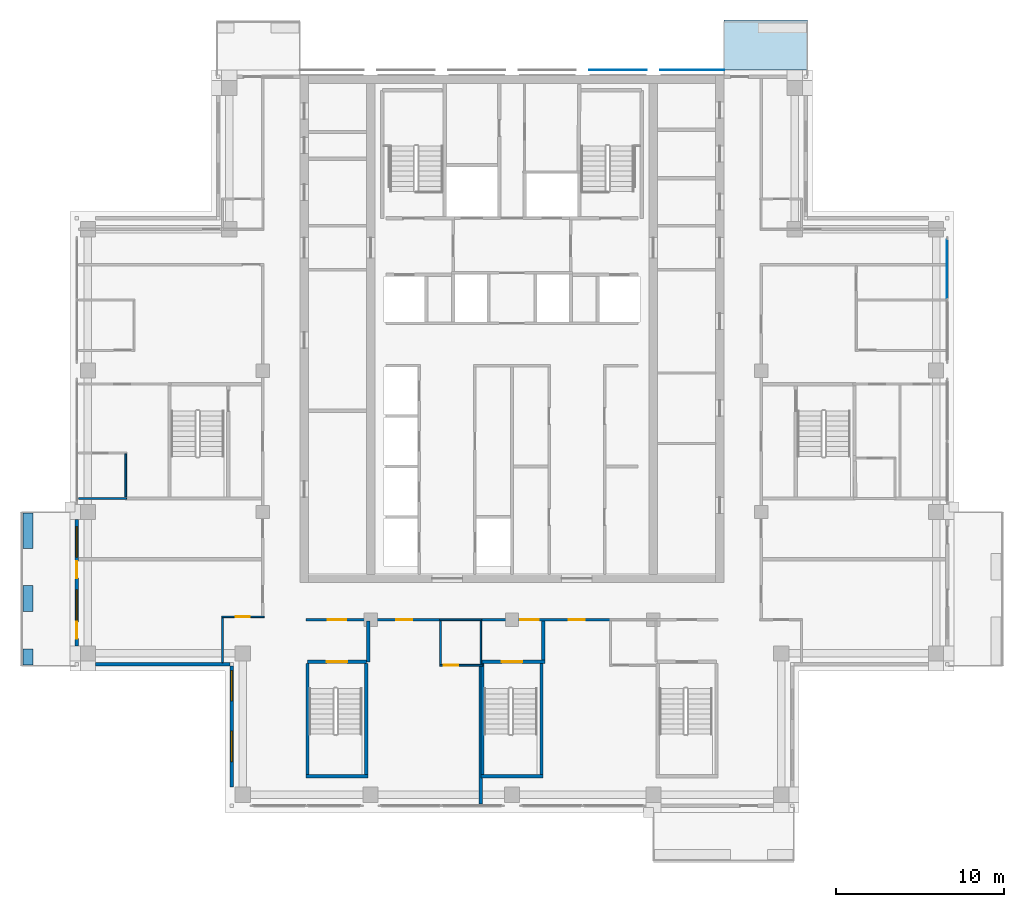
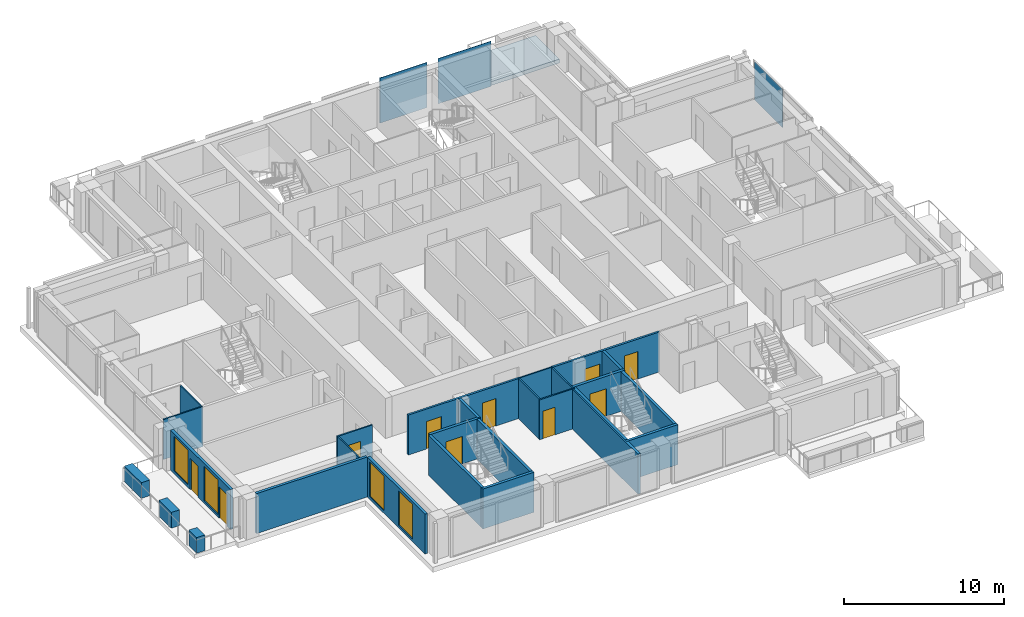
# One storey, part 9 of 19: 27 walls, 10 doors, 4 windows, 3 plates, 1 slab, 14 openings, 1 element without a shape of its own.
"""IFC4 building model written with IfcOpenShell, lengths in metres."""

from ifc_helpers import new_model, si_unit, direction, frame, frame_2d, origin, origin_2d, place, context, subcontext, project, spatial, polyline, rectangle, outline, extrude, material, layer, layer_set, type_object, element, fill, aggregate, save


model = new_model("IFC4")

# Units and contexts
model_context = context("Model", 3, precision=1e-05, world=origin(), true_north=direction((0.0, 1.0)))
body_context = subcontext(model_context, "Body", "Model", "MODEL_VIEW")
ifc_project = project(units=[si_unit("LENGTHUNIT", "METRE"), si_unit("AREAUNIT", "SQUARE_METRE"), si_unit("VOLUMEUNIT", "CUBIC_METRE"), si_unit("PLANEANGLEUNIT", "RADIAN"), si_unit("MASSUNIT", "GRAM", prefix="KILO")], contexts=[model_context])

# Site, building, storey
site_placement = place(None, origin())
site = spatial("IfcSite", under=ifc_project, at=site_placement, CompositionType="ELEMENT")
building_placement = place(site_placement, origin())
building = spatial("IfcBuilding", under=site, at=building_placement, Name="Vermilion Ogive Tower", CompositionType="ELEMENT")
storey_placement = place(building_placement, frame((0.0, 0.0, 226.89990234375)))
storey = spatial("IfcBuildingStorey", under=building, at=storey_placement, Name="L59", CompositionType="ELEMENT", Elevation=226.89990234375)

# Slab
ifc_material_1 = material(Name="Concrete B40", Category="concrete")
ifc_layer_1 = layer(ifc_material_1, 0.300048828125)
ifc_layer_set_1 = layer_set([ifc_layer_1], Name="Balcony slab")
slab_type = type_object("IfcSlabType", Name="Balcony slab", PredefinedType="FLOOR", material=ifc_layer_set_1)
slab_placement = place(storey_placement, frame((0.0, 0.0, -0.33984375)))
element("IfcSlab", 1, at=slab_placement, inside=storey, type_object=slab_type, Name="Balcony slab N101", PredefinedType="FLOOR", context=body_context, shape_type="SweptSolid", body=[
    extrude(outline(polyline([(17.550048828125, 25.030029296875), (12.60009765625, 25.030029296875), (12.60009765625, 22.050048828125), (17.550048828125, 22.050048828125), (17.550048828125, 25.030029296875)])), origin(), (0.0, 0.0, 1.0), 0.300048828125),
])

# Curtain wall, plate
ifc_material_2 = material(Name="Low-iron laminated glazing in aluminium frame", Category="aluminium")
curtain_wall_type = type_object("IfcCurtainWallType", Name="Curtain wall CW7", PredefinedType="NOTDEFINED", material=ifc_material_2)
curtain_wall_placement = place(storey_placement, origin())
curtain_wall = element("IfcCurtainWall", 2, at=curtain_wall_placement, inside=storey, type_object=curtain_wall_type, Name="Glazed skin E3", PredefinedType="NOTDEFINED")
ifc_material_3 = material(Name="Low-iron laminated glazing in aluminium frame", Category="aluminium")
ifc_layer_2 = layer(ifc_material_3, 0.031982421875)
ifc_layer_set_2 = layer_set([ifc_layer_2], Name="CW7 glazing panel 32")
plate_type_1 = type_object("IfcPlateType", Name="CW7 glazing panel 32", PredefinedType="CURTAIN_PANEL", material=ifc_layer_set_2)
plate_1_placement = place(storey_placement, frame((25.85009765625, 10.22998046875, 0.06005859375), z_axis=(0.0, 0.0, 1.0), x_axis=(0.0, 1.0, 0.0)))
plate_1 = element("IfcPlate", 3, at=plate_1_placement, type_object=plate_type_1, Name="CW7-E3 panel 2.1", PredefinedType="CURTAIN_PANEL", context=body_context, shape_type="SweptSolid", body=[
    extrude(rectangle(XDim=3.47998046875, YDim=0.031982421875, at=origin_2d()), origin(), (0.0, 0.0, 1.0), 2.929931640625),
])
aggregate(curtain_wall, [plate_1])

# Plates
ifc_material_4 = material(Name="Low-iron laminated glazing in aluminium frame", Category="aluminium")
ifc_layer_3 = layer(ifc_material_4, 0.031982421875)
ifc_layer_set_3 = layer_set([ifc_layer_3], Name="Glazed rainscreen sheet 32")
plate_type_2 = type_object("IfcPlateType", Name="Glazed rainscreen sheet 32", PredefinedType="SHEET", material=ifc_layer_set_3)
plate_2_placement = place(storey_placement, frame((6.300048828125, 22.06591796875, -0.39990234375), z_axis=(0.0, 0.0, 1.0), x_axis=(1.0, 0.0, 0.0)))
element("IfcPlate", 4, at=plate_2_placement, inside=storey, type_object=plate_type_2, Name="Glazed rainscreen sheet N5", PredefinedType="SHEET", context=body_context, shape_type="SweptSolid", body=[
    extrude(rectangle(XDim=3.39990234375, YDim=0.031982421875, at=origin_2d()), origin(), (0.0, 0.0, 1.0), 3.449951171875),
])
plate_3_placement = place(storey_placement, frame((10.7099609375, 22.06591796875, -0.39990234375), z_axis=(0.0, 0.0, 1.0), x_axis=(1.0, 0.0, 0.0)))
element("IfcPlate", 5, at=plate_3_placement, inside=storey, type_object=plate_type_2, Name="Glazed rainscreen sheet N6", PredefinedType="SHEET", context=body_context, shape_type="SweptSolid", body=[
    extrude(rectangle(XDim=3.820068359375, YDim=0.031982421875, at=origin_2d()), origin(), (0.0, 0.0, 1.0), 3.449951171875),
])

# Wall, opening, door
ifc_material_5 = material(Name="Gypsum board partition on steel studs", Category="steel")
ifc_layer_4 = layer(ifc_material_5, 0.10009765625)
ifc_layer_set_4 = layer_set([ifc_layer_4], Name="Partition 100 bath")
wall_type_1 = type_object("IfcWallType", Name="Partition 100 bath", PredefinedType="PARTITIONING", material=ifc_layer_set_4)
wall_1_placement = place(storey_placement, frame((-4.300048828125, -13.300048828125, 0.0), z_axis=(0.0, 0.0, 1.0), x_axis=(1.0, 0.0, 0.0)))
wall_1 = element("IfcWall", 6, at=wall_1_placement, inside=storey, type_object=wall_type_1, Name="L59-W-W002", PredefinedType="PARTITIONING", context=body_context, shape_type="SweptSolid", body=[
    extrude(rectangle(XDim=2.550048828125, YDim=0.10009765625, at=frame_2d((1.27490234375, 0.0))), origin(), (0.0, 0.0, 1.0), 3.050048828125),
])
opening_1_placement = place(wall_1_placement, frame((0.25, 0.0, 0.0)))
opening_1 = element("IfcOpeningElement", 7, at=opening_1_placement, cuts=wall_1, Name="Opening D5G1010", PredefinedType="OPENING", context=body_context, shape_type="SweptSolid", body=[
    extrude(rectangle(XDim=0.85009765625, YDim=2.10009765625, at=frame_2d((0.425048828125, 1.050048828125))), frame((0.0, 0.06005859375, 0.0), z_axis=(0.0, -1.0, 0.0), x_axis=(1.0, 0.0, 0.0)), (0.0, 0.0, 1.0), 0.1201171875),
])
ifc_material_6 = material(Name="Timber door leaf", Category="wood")
door_type_1 = type_object("IfcDoorType", Name="Bath door 850 x 2100 FD30", OperationType="SINGLE_SWING_LEFT", PredefinedType="DOOR", material=ifc_material_6)
door_1_placement = place(opening_1_placement, origin())
door_1 = element("IfcDoor", 8, at=door_1_placement, inside=storey, type_object=door_type_1, Name="L59-D-D010", OperationType="SINGLE_SWING_LEFT", OverallHeight=2.10009765625, OverallWidth=0.85009765625, PredefinedType="DOOR", context=body_context, shape_type="SweptSolid", body=[
    extrude(rectangle(XDim=0.85009765625, YDim=2.10009765625, at=frame_2d((0.425048828125, 1.050048828125))), frame((0.0, 0.02490234375, 0.0), z_axis=(0.0, -1.0, 0.0), x_axis=(1.0, 0.0, 0.0)), (0.0, 0.0, 1.0), 0.050048828125),
])
fill(opening_1, door_1)

# Wall
wall_2_placement = place(storey_placement, frame((-4.300048828125, -10.60009765625, 0.0), z_axis=(0.0, 0.0, 1.0), x_axis=(1.0, 0.0, 0.0)))
element("IfcWall", 9, at=wall_2_placement, inside=storey, type_object=wall_type_1, Name="L59-W-W008", PredefinedType="PARTITIONING", context=body_context, shape_type="SweptSolid", body=[
    extrude(rectangle(XDim=2.5, YDim=0.10009765625, at=frame_2d((1.25, 0.0))), origin(), (0.0, 0.0, 1.0), 3.050048828125),
])

# Wall, opening, door
wall_3_placement = place(storey_placement, frame((-17.25, -10.429931640625, 0.0), z_axis=(0.0, 0.0, 1.0), x_axis=(1.0, 0.0, 0.0)))
wall_3 = element("IfcWall", 10, at=wall_3_placement, inside=storey, type_object=wall_type_1, Name="L59-W-W013", PredefinedType="PARTITIONING", context=body_context, shape_type="SweptSolid", body=[
    extrude(rectangle(XDim=2.52490234375, YDim=0.10009765625, at=frame_2d((1.262451171875, 0.0))), origin(), (0.0, 0.0, 1.0), 3.050048828125),
])
opening_2_placement = place(wall_3_placement, frame((0.824951171875, 0.0, 0.0)))
opening_2 = element("IfcOpeningElement", 11, at=opening_2_placement, cuts=wall_3, Name="Opening D5G1002", PredefinedType="OPENING", context=body_context, shape_type="SweptSolid", body=[
    extrude(rectangle(XDim=0.85009765625, YDim=2.10009765625, at=frame_2d((0.425048828125, 1.050048828125))), frame((0.0, 0.06005859375, 0.0), z_axis=(0.0, -1.0, 0.0), x_axis=(1.0, 0.0, 0.0)), (0.0, 0.0, 1.0), 0.1201171875),
])
door_2_placement = place(opening_2_placement, origin())
door_2 = element("IfcDoor", 12, at=door_2_placement, inside=storey, type_object=door_type_1, Name="L59-D-D002", OperationType="SINGLE_SWING_RIGHT", OverallHeight=2.10009765625, OverallWidth=0.85009765625, PredefinedType="DOOR", context=body_context, shape_type="SweptSolid", body=[
    extrude(rectangle(XDim=0.85009765625, YDim=2.10009765625, at=frame_2d((0.425048828125, 1.050048828125))), frame((0.0, 0.02490234375, 0.0), z_axis=(0.0, -1.0, 0.0), x_axis=(1.0, 0.0, 0.0)), (0.0, 0.0, 1.0), 0.050048828125),
])
fill(opening_2, door_2)

# Walls
wall_4_placement = place(storey_placement, frame((-25.75, -3.39990234375, 0.0), z_axis=(0.0, 0.0, 1.0), x_axis=(1.0, 0.0, 0.0)))
element("IfcWall", 13, at=wall_4_placement, inside=storey, type_object=wall_type_1, Name="L59-W-W016", PredefinedType="PARTITIONING", context=body_context, shape_type="SweptSolid", body=[
    extrude(rectangle(XDim=2.85009765625, YDim=0.10009765625, at=frame_2d((1.425048828125, 0.0))), origin(), (0.0, 0.0, 1.0), 3.050048828125),
])
wall_5_placement = place(storey_placement, frame((-22.949951171875, -3.300048828125, 0.0), z_axis=(0.0, 0.0, 1.0), x_axis=(0.0, 1.0, 0.0)))
element("IfcWall", 14, at=wall_5_placement, inside=storey, type_object=wall_type_1, Name="L59-W-W039", PredefinedType="PARTITIONING", context=body_context, shape_type="SweptSolid", body=[
    extrude(rectangle(XDim=2.550048828125, YDim=0.10009765625, at=frame_2d((1.27490234375, 0.0))), origin(), (0.0, 0.0, 1.0), 3.050048828125),
])
wall_6_placement = place(storey_placement, frame((-17.199951171875, -13.14990234375, 0.0), z_axis=(0.0, 0.0, 1.0), x_axis=(0.0, 1.0, 0.0)))
element("IfcWall", 15, at=wall_6_placement, inside=storey, type_object=wall_type_1, Name="L59-W-W042", PredefinedType="PARTITIONING", context=body_context, shape_type="SweptSolid", body=[
    extrude(rectangle(XDim=2.669921875, YDim=0.10009765625, at=frame_2d((1.3349609375, 0.0))), origin(), (0.0, 0.0, 1.0), 3.050048828125),
])
for number, where, z_axis, x_axis, name in (
    (16, (-4.25, -13.25, 0.0), (0.0, 0.0, 1.0), (0.0, 1.0, 0.0), "L59-W-W049"),
    (17, (-1.85009765625, -13.25, 0.0), (0.0, 0.0, 1.0), (0.0, 1.0, 0.0), "L59-W-W051"),
):
    element("IfcWall", number, at=place(storey_placement, frame(where, z_axis=z_axis, x_axis=x_axis)), inside=storey, type_object=wall_type_1, Name=name, PredefinedType="PARTITIONING", context=body_context, shape_type="SweptSolid", body=[
        extrude(rectangle(XDim=2.574951171875, YDim=0.10009765625, at=frame_2d((1.28759765625, 0.0))), origin(), (0.0, 0.0, 1.0), 3.050048828125),
    ])

# Wall, openings, doors
ifc_material_7 = material(Name="Gypsum board partition on steel studs", Category="steel")
ifc_layer_5 = layer(ifc_material_7, 0.14990234375)
ifc_layer_set_5 = layer_set([ifc_layer_5], Name="Partition 150 corridor")
wall_type_2 = type_object("IfcWallType", Name="Partition 150 corridor", PredefinedType="PARTITIONING", material=ifc_layer_set_5)
wall_7_placement = place(storey_placement, frame((-12.25, -10.60009765625, 0.0), z_axis=(0.0, 0.0, 1.0), x_axis=(1.0, 0.0, 0.0)))
wall_7 = element("IfcWall", 18, at=wall_7_placement, inside=storey, type_object=wall_type_2, Name="L59-W-W007", PredefinedType="PARTITIONING", context=body_context, shape_type="SweptSolid", body=[
    extrude(rectangle(XDim=8.050048828125, YDim=0.14990234375, at=frame_2d((4.02490234375, 0.0))), origin(), (0.0, 0.0, 1.0), 3.050048828125),
])
opening_3_placement = place(wall_7_placement, frame((5.375, 0.0, 0.0)))
opening_3 = element("IfcOpeningElement", 19, at=opening_3_placement, cuts=wall_7, Name="Opening D5G1009", PredefinedType="OPENING", context=body_context, shape_type="SweptSolid", body=[
    extrude(rectangle(XDim=0.949951171875, YDim=2.10009765625, at=frame_2d((0.47509765625, 1.050048828125))), frame((0.0, 0.0849609375, 0.0), z_axis=(0.0, -1.0, 0.0), x_axis=(1.0, 0.0, 0.0)), (0.0, 0.0, 1.0), 0.169921875),
])
opening_4_placement = place(wall_7_placement, frame((1.300048828125, 0.0, 0.0)))
opening_4 = element("IfcOpeningElement", 20, at=opening_4_placement, cuts=wall_7, Name="Opening D5G1023", PredefinedType="OPENING", context=body_context, shape_type="SweptSolid", body=[
    extrude(rectangle(XDim=1.10009765625, YDim=2.10009765625, at=frame_2d((0.550048828125, 1.050048828125))), frame((0.0, 0.0849609375, 0.0), z_axis=(0.0, -1.0, 0.0), x_axis=(1.0, 0.0, 0.0)), (0.0, 0.0, 1.0), 0.169921875),
])
ifc_material_8 = material(Name="Timber door leaf", Category="wood")
door_type_2 = type_object("IfcDoorType", Name="Stair door 1100 x 2100 FD60S", OperationType="SINGLE_SWING_LEFT", PredefinedType="DOOR", material=ifc_material_8)
door_3_placement = place(opening_4_placement, origin())
door_3 = element("IfcDoor", 21, at=door_3_placement, inside=storey, type_object=door_type_2, Name="L59-D-D023", OperationType="SINGLE_SWING_RIGHT", OverallHeight=2.10009765625, OverallWidth=1.10009765625, PredefinedType="DOOR", context=body_context, shape_type="SweptSolid", body=[
    extrude(rectangle(XDim=1.10009765625, YDim=2.10009765625, at=frame_2d((0.550048828125, 1.050048828125))), frame((0.0, 0.02490234375, 0.0), z_axis=(0.0, -1.0, 0.0), x_axis=(1.0, 0.0, 0.0)), (0.0, 0.0, 1.0), 0.050048828125),
])
fill(opening_4, door_3)
ifc_material_9 = material(Name="Timber door leaf", Category="wood")
door_type_3 = type_object("IfcDoorType", Name="Unit door 950 x 2100 FD30S", OperationType="SINGLE_SWING_LEFT", PredefinedType="DOOR", material=ifc_material_9)
door_4_placement = place(opening_3_placement, origin())
door_4 = element("IfcDoor", 22, at=door_4_placement, inside=storey, type_object=door_type_3, Name="L59-D-D009", OperationType="SINGLE_SWING_LEFT", OverallHeight=2.10009765625, OverallWidth=0.949951171875, PredefinedType="DOOR", context=body_context, shape_type="SweptSolid", body=[
    extrude(rectangle(XDim=0.949951171875, YDim=2.10009765625, at=frame_2d((0.47509765625, 1.050048828125))), frame((0.0, 0.02490234375, 0.0), z_axis=(0.0, -1.0, 0.0), x_axis=(1.0, 0.0, 0.0)), (0.0, 0.0, 1.0), 0.050048828125),
])
fill(opening_3, door_4)

wall_8_placement = place(storey_placement, frame((-1.89990234375, -10.60009765625, 0.0), z_axis=(0.0, 0.0, 1.0), x_axis=(1.0, 0.0, 0.0)))
wall_8 = element("IfcWall", 23, at=wall_8_placement, inside=storey, type_object=wall_type_2, Name="L59-W-W009", PredefinedType="PARTITIONING", context=body_context, shape_type="SweptSolid", body=[
    extrude(rectangle(XDim=7.7998046875, YDim=0.14990234375, at=frame_2d((3.89990234375, 0.0))), origin(), (0.0, 0.0, 1.0), 3.050048828125),
])
opening_5_placement = place(wall_8_placement, frame((5.27490234375, 0.0, 0.0)))
opening_5 = element("IfcOpeningElement", 24, at=opening_5_placement, cuts=wall_8, Name="Opening D5G1011", PredefinedType="OPENING", context=body_context, shape_type="SweptSolid", body=[
    extrude(rectangle(XDim=0.949951171875, YDim=2.10009765625, at=frame_2d((0.47509765625, 1.050048828125))), frame((0.0, 0.0849609375, 0.0), z_axis=(0.0, -1.0, 0.0), x_axis=(1.0, 0.0, 0.0)), (0.0, 0.0, 1.0), 0.169921875),
])
opening_6_placement = place(wall_8_placement, frame((2.39990234375, 0.0, 0.0)))
opening_6 = element("IfcOpeningElement", 25, at=opening_6_placement, cuts=wall_8, Name="Opening D5G1025", PredefinedType="OPENING", context=body_context, shape_type="SweptSolid", body=[
    extrude(rectangle(XDim=1.10009765625, YDim=2.10009765625, at=frame_2d((0.550048828125, 1.050048828125))), frame((0.0, 0.0849609375, 0.0), z_axis=(0.0, -1.0, 0.0), x_axis=(1.0, 0.0, 0.0)), (0.0, 0.0, 1.0), 0.169921875),
])
door_5_placement = place(opening_6_placement, origin())
door_5 = element("IfcDoor", 26, at=door_5_placement, inside=storey, type_object=door_type_2, Name="L59-D-D025", OperationType="SINGLE_SWING_LEFT", OverallHeight=2.10009765625, OverallWidth=1.10009765625, PredefinedType="DOOR", context=body_context, shape_type="SweptSolid", body=[
    extrude(rectangle(XDim=1.10009765625, YDim=2.10009765625, at=frame_2d((0.550048828125, 1.050048828125))), frame((0.0, 0.02490234375, 0.0), z_axis=(0.0, -1.0, 0.0), x_axis=(1.0, 0.0, 0.0)), (0.0, 0.0, 1.0), 0.050048828125),
])
fill(opening_6, door_5)
door_6_placement = place(opening_5_placement, origin())
door_6 = element("IfcDoor", 27, at=door_6_placement, inside=storey, type_object=door_type_3, Name="L59-D-D011", OperationType="SINGLE_SWING_LEFT", OverallHeight=2.10009765625, OverallWidth=0.949951171875, PredefinedType="DOOR", context=body_context, shape_type="SweptSolid", body=[
    extrude(rectangle(XDim=0.949951171875, YDim=2.10009765625, at=frame_2d((0.47509765625, 1.050048828125))), frame((0.0, 0.02490234375, 0.0), z_axis=(0.0, -1.0, 0.0), x_axis=(1.0, 0.0, 0.0)), (0.0, 0.0, 1.0), 0.050048828125),
])
fill(opening_5, door_6)

# Walls
ifc_material_10 = material(Name="Gypsum board partition on steel studs", Category="steel")
ifc_layer_6 = layer(ifc_material_10, 0.199951171875)
ifc_layer_set_6 = layer_set([ifc_layer_6], Name="Partition 200 party")
wall_type_3 = type_object("IfcWallType", Name="Partition 200 party", PredefinedType="PARTITIONING", material=ifc_layer_set_6)
wall_9_placement = place(storey_placement, frame((-8.550048828125, -13.10009765625, 0.0), z_axis=(0.0, 0.0, 1.0), x_axis=(0.0, 1.0, 0.0)))
element("IfcWall", 28, at=wall_9_placement, inside=storey, type_object=wall_type_3, Name="L59-W-W048", PredefinedType="PARTITIONING", context=body_context, shape_type="SweptSolid", body=[
    extrude(rectangle(XDim=2.425048828125, YDim=0.199951171875, at=frame_2d((1.21240234375, 0.0))), origin(), (0.0, 0.0, 1.0), 3.050048828125),
])
ifc_material_11 = material(Name="Concrete B60", Category="concrete")
ifc_layer_7 = layer(ifc_material_11, 0.199951171875)
ifc_layer_set_7 = layer_set([ifc_layer_7], Name="Stair shaft wall 200 Concrete B60")
wall_type_4 = type_object("IfcWallType", Name="Stair shaft wall 200 Concrete B60", PredefinedType="SOLIDWALL", material=ifc_layer_set_7)
wall_10_placement = place(storey_placement, frame((-1.847900390625, -19.89990234375, 0.0), z_axis=(0.0, 0.0, 1.0), x_axis=(1.0, 0.0, 0.0)))
element("IfcWall", 29, at=wall_10_placement, inside=storey, type_object=wall_type_4, Name="L59-W-W001", PredefinedType="SOLIDWALL", context=body_context, shape_type="SweptSolid", body=[
    extrude(rectangle(XDim=3.69580078125, YDim=0.199951171875, at=frame_2d((1.847900390625, 0.0))), origin(), (0.0, 0.0, 1.0), 3.050048828125),
])

# Wall, opening, door
wall_11_placement = place(storey_placement, frame((-12.14990234375, -13.10009765625, 0.0), z_axis=(0.0, 0.0, 1.0), x_axis=(1.0, 0.0, 0.0)))
wall_11 = element("IfcWall", 30, at=wall_11_placement, inside=storey, type_object=wall_type_4, Name="L59-W-W004", PredefinedType="SOLIDWALL", context=body_context, shape_type="SweptSolid", body=[
    extrude(rectangle(XDim=3.5, YDim=0.199951171875, at=frame_2d((1.75, 0.0))), origin(), (0.0, 0.0, 1.0), 3.050048828125),
])
opening_7_placement = place(wall_11_placement, frame((1.14990234375, 0.0, 0.0)))
opening_7 = element("IfcOpeningElement", 31, at=opening_7_placement, cuts=wall_11, Name="Opening D5G1024", PredefinedType="OPENING", context=body_context, shape_type="SweptSolid", body=[
    extrude(rectangle(XDim=1.199951171875, YDim=2.10009765625, at=frame_2d((0.60009765625, 1.050048828125))), frame((0.0, 0.10986328125, 0.0), z_axis=(0.0, -1.0, 0.0), x_axis=(1.0, 0.0, 0.0)), (0.0, 0.0, 1.0), 0.219970703125),
])
ifc_material_12 = material(Name="Timber door leaf", Category="wood")
door_type_4 = type_object("IfcDoorType", Name="Stair door 1200 x 2100 FD60S", OperationType="SINGLE_SWING_LEFT", PredefinedType="DOOR", material=ifc_material_12)
door_7_placement = place(opening_7_placement, origin())
door_7 = element("IfcDoor", 32, at=door_7_placement, inside=storey, type_object=door_type_4, Name="L59-D-D024", OperationType="SINGLE_SWING_RIGHT", OverallHeight=2.10009765625, OverallWidth=1.199951171875, PredefinedType="DOOR", context=body_context, shape_type="SweptSolid", body=[
    extrude(rectangle(XDim=1.199951171875, YDim=2.10009765625, at=frame_2d((0.60009765625, 1.050048828125))), frame((0.0, 0.02490234375, 0.0), z_axis=(0.0, -1.0, 0.0), x_axis=(1.0, 0.0, 0.0)), (0.0, 0.0, 1.0), 0.050048828125),
])
fill(opening_7, door_7)

wall_12_placement = place(storey_placement, frame((-1.798095703125, -13.10009765625, 0.0), z_axis=(0.0, 0.0, 1.0), x_axis=(1.0, 0.0, 0.0)))
wall_12 = element("IfcWall", 33, at=wall_12_placement, inside=storey, type_object=wall_type_4, Name="L59-W-W005", PredefinedType="SOLIDWALL", context=body_context, shape_type="SweptSolid", body=[
    extrude(rectangle(XDim=3.74609375, YDim=0.199951171875, at=frame_2d((1.873046875, 0.0))), origin(), (0.0, 0.0, 1.0), 3.050048828125),
])
opening_8_placement = place(wall_12_placement, frame((1.197998046875, 0.0, 0.0)))
opening_8 = element("IfcOpeningElement", 34, at=opening_8_placement, cuts=wall_12, Name="Opening D5G1026", PredefinedType="OPENING", context=body_context, shape_type="SweptSolid", body=[
    extrude(rectangle(XDim=1.199951171875, YDim=2.10009765625, at=frame_2d((0.60009765625, 1.050048828125))), frame((0.0, 0.10986328125, 0.0), z_axis=(0.0, -1.0, 0.0), x_axis=(1.0, 0.0, 0.0)), (0.0, 0.0, 1.0), 0.219970703125),
])
door_8_placement = place(opening_8_placement, origin())
door_8 = element("IfcDoor", 35, at=door_8_placement, inside=storey, type_object=door_type_4, Name="L59-D-D026", OperationType="SINGLE_SWING_RIGHT", OverallHeight=2.10009765625, OverallWidth=1.199951171875, PredefinedType="DOOR", context=body_context, shape_type="SweptSolid", body=[
    extrude(rectangle(XDim=1.199951171875, YDim=2.10009765625, at=frame_2d((0.60009765625, 1.050048828125))), frame((0.0, 0.02490234375, 0.0), z_axis=(0.0, -1.0, 0.0), x_axis=(1.0, 0.0, 0.0)), (0.0, 0.0, 1.0), 0.050048828125),
])
fill(opening_8, door_8)

# Walls
for number, where, z_axis, x_axis, name in (
    (36, (-1.75, -19.798095703125, 0.0), (0.0, 0.0, 1.0), (0.0, 1.0, 0.0), "L59-W-W052"),
    (37, (1.75, -19.798095703125, 0.0), (0.0, 0.0, 1.0), (0.0, 1.0, 0.0), "L59-W-W053"),
):
    element("IfcWall", number, at=place(storey_placement, frame(where, z_axis=z_axis, x_axis=x_axis)), inside=storey, type_object=wall_type_4, Name=name, PredefinedType="SOLIDWALL", context=body_context, shape_type="SweptSolid", body=[
        extrude(rectangle(XDim=6.59619140625, YDim=0.199951171875, at=frame_2d((3.298095703125, 0.0))), origin(), (0.0, 0.0, 1.0), 3.050048828125),
    ])
wall_13_placement = place(storey_placement, frame((1.85009765625, -12.998046875, 0.0), z_axis=(0.0, 0.0, 1.0), x_axis=(0.0, 1.0, 0.0)))
element("IfcWall", 38, at=wall_13_placement, inside=storey, type_object=wall_type_4, Name="L59-W-W054", PredefinedType="SOLIDWALL", context=body_context, shape_type="SweptSolid", body=[
    extrude(rectangle(XDim=2.322998046875, YDim=0.199951171875, at=frame_2d((1.16162109375, 0.0))), origin(), (0.0, 0.0, 1.0), 3.050048828125),
])
wall_14_placement = place(storey_placement, frame((-12.25, -19.89990234375, 0.0), z_axis=(0.0, 0.0, 1.0), x_axis=(1.0, 0.0, 0.0)))
element("IfcWall", 39, at=wall_14_placement, inside=storey, type_object=wall_type_4, Name="L59-SW-ST3-S1", PredefinedType="SOLIDWALL", context=body_context, shape_type="SweptSolid", body=[
    extrude(rectangle(XDim=3.699951171875, YDim=0.199951171875, at=frame_2d((1.85009765625, 0.0))), origin(), (0.0, 0.0, 1.0), 3.050048828125),
])
for number, where, z_axis, x_axis, name in (
    (40, (-12.14990234375, -19.800048828125, 0.0), (0.0, 0.0, 1.0), (0.0, 1.0, 0.0), "L59-SW-ST3-W1"),
    (41, (-8.64990234375, -19.800048828125, 0.0), (0.0, 0.0, 1.0), (0.0, 1.0, 0.0), "L59-SW-ST3-E1"),
):
    element("IfcWall", number, at=place(storey_placement, frame(where, z_axis=z_axis, x_axis=x_axis)), inside=storey, type_object=wall_type_4, Name=name, PredefinedType="SOLIDWALL", context=body_context, shape_type="SweptSolid", body=[
        extrude(rectangle(XDim=6.60009765625, YDim=0.199951171875, at=frame_2d((3.300048828125, 0.0))), origin(), (0.0, 0.0, 1.0), 3.050048828125),
    ])
wall_15_placement = place(storey_placement, frame((-1.85009765625, -21.550048828125, 0.0), z_axis=(0.0, 0.0, 1.0), x_axis=(0.0, 1.0, 0.0)))
element("IfcWall", 42, at=wall_15_placement, inside=storey, type_object=wall_type_4, Name="L59-W-W050-A", PredefinedType="SOLIDWALL", context=body_context, shape_type="SweptSolid", body=[
    extrude(rectangle(XDim=8.199951171875, YDim=0.199951171875, at=frame_2d((4.10009765625, 0.0))), origin(), (0.0, 0.0, 1.0), 3.050048828125),
])
ifc_material_13 = material(Name="Concrete B40", Category="concrete")
ifc_layer_8 = layer(ifc_material_13, 0.60009765625)
ifc_layer_set_8 = layer_set([ifc_layer_8], Name="Structural planter")
wall_type_5 = type_object("IfcWallType", Name="Structural planter", PredefinedType="USERDEFINED", material=ifc_layer_set_8)
wall_16_placement = place(storey_placement, frame((-28.75, -4.260009765625, -0.039794921875), z_axis=(0.0, 0.0, 1.0), x_axis=(0.0, -1.0, 0.0)))
element("IfcWall", 43, at=wall_16_placement, inside=storey, type_object=wall_type_5, Name="Planter W03A1", ObjectType="PLANTER", PredefinedType="USERDEFINED", context=body_context, shape_type="SweptSolid", body=[
    extrude(rectangle(XDim=2.114990234375, YDim=0.60009765625, at=frame_2d((1.0576171875, 0.0))), origin(), (0.0, 0.0, 1.0), 1.199951171875),
])
wall_17_placement = place(storey_placement, frame((-28.75, -8.574951171875, -0.039794921875), z_axis=(0.0, 0.0, 1.0), x_axis=(0.0, -1.0, 0.0)))
element("IfcWall", 44, at=wall_17_placement, inside=storey, type_object=wall_type_5, Name="Planter W03A2", ObjectType="PLANTER", PredefinedType="USERDEFINED", context=body_context, shape_type="SweptSolid", body=[
    extrude(rectangle(XDim=1.550048828125, YDim=0.60009765625, at=frame_2d((0.77490234375, 0.0))), origin(), (0.0, 0.0, 1.0), 1.199951171875),
])
wall_18_placement = place(storey_placement, frame((-28.75, -12.324951171875, -0.039794921875), z_axis=(0.0, 0.0, 1.0), x_axis=(0.0, -1.0, 0.0)))
element("IfcWall", 45, at=wall_18_placement, inside=storey, type_object=wall_type_5, Name="Planter W03A3", ObjectType="PLANTER", PredefinedType="USERDEFINED", context=body_context, shape_type="SweptSolid", body=[
    extrude(rectangle(XDim=0.965087890625, YDim=0.60009765625, at=frame_2d((0.482421875, 0.0))), origin(), (0.0, 0.0, 1.0), 1.199951171875),
])

# Wall, openings, doors, windows
ifc_material_14 = material(Name="Aluminium window wall framing", Category="aluminium")
ifc_layer_9 = layer(ifc_material_14, 0.199951171875)
ifc_layer_set_9 = layer_set([ifc_layer_9], Name="Window wall")
wall_type_6 = type_object("IfcWallType", Name="Window wall", PredefinedType="STANDARD", material=ifc_layer_set_9)
wall_19_placement = place(storey_placement, frame((-25.85009765625, -4.64990234375, 0.0), z_axis=(0.0, 0.0, 1.0), x_axis=(0.0, -1.0, 0.0)))
wall_19 = element("IfcWall", 46, at=wall_19_placement, inside=storey, type_object=wall_type_6, Name="Window wall W3", PredefinedType="STANDARD", context=body_context, shape_type="SweptSolid", body=[
    extrude(rectangle(XDim=7.5, YDim=0.199951171875, at=frame_2d((3.75, 0.0))), origin(), (0.0, 0.0, 1.0), 3.050048828125),
])
opening_9_placement = place(wall_19_placement, frame((4.175048828125, 0.0, 0.199951171875)))
opening_9 = element("IfcOpeningElement", 47, at=opening_9_placement, cuts=wall_19, Name="Opening W1-W97", PredefinedType="OPENING", context=body_context, shape_type="SweptSolid", body=[
    extrude(rectangle(XDim=1.800048828125, YDim=2.64990234375, at=frame_2d((0.89990234375, 1.324951171875))), frame((0.0, 0.10986328125, 0.0), z_axis=(0.0, -1.0, 0.0), x_axis=(1.0, 0.0, 0.0)), (0.0, 0.0, 1.0), 0.219970703125),
])
opening_10_placement = place(wall_19_placement, frame((6.074951171875, 0.0, 0.0)))
opening_10 = element("IfcOpeningElement", 48, at=opening_10_placement, cuts=wall_19, Name="Opening D1-W97", PredefinedType="OPENING", context=body_context, shape_type="SweptSolid", body=[
    extrude(rectangle(XDim=1.0, YDim=2.39990234375, at=frame_2d((0.5, 1.199951171875))), frame((0.0, 0.10986328125, 0.0), z_axis=(0.0, -1.0, 0.0), x_axis=(1.0, 0.0, 0.0)), (0.0, 0.0, 1.0), 0.219970703125),
])
opening_11_placement = place(wall_19_placement, frame((0.425048828125, 0.0, 0.199951171875)))
opening_11 = element("IfcOpeningElement", 49, at=opening_11_placement, cuts=wall_19, Name="Opening W1-W98", PredefinedType="OPENING", context=body_context, shape_type="SweptSolid", body=[
    extrude(rectangle(XDim=1.800048828125, YDim=2.64990234375, at=frame_2d((0.89990234375, 1.324951171875))), frame((0.0, 0.10986328125, 0.0), z_axis=(0.0, -1.0, 0.0), x_axis=(1.0, 0.0, 0.0)), (0.0, 0.0, 1.0), 0.219970703125),
])
opening_12_placement = place(wall_19_placement, frame((2.47509765625, 0.0, 0.0)))
opening_12 = element("IfcOpeningElement", 50, at=opening_12_placement, cuts=wall_19, Name="Opening D1-W98", PredefinedType="OPENING", context=body_context, shape_type="SweptSolid", body=[
    extrude(rectangle(XDim=1.0, YDim=2.39990234375, at=frame_2d((0.5, 1.199951171875))), frame((0.0, 0.10986328125, 0.0), z_axis=(0.0, -1.0, 0.0), x_axis=(1.0, 0.0, 0.0)), (0.0, 0.0, 1.0), 0.219970703125),
])
ifc_material_15 = material(Name="Aluminium framed glazed door", Category="aluminium")
door_type_5 = type_object("IfcDoorType", Name="Balcony door D1", OperationType="SINGLE_SWING_LEFT", PredefinedType="DOOR", material=ifc_material_15)
door_9_placement = place(opening_10_placement, origin())
door_9 = element("IfcDoor", 51, at=door_9_placement, inside=storey, type_object=door_type_5, Name="Balcony door W97", OperationType="SINGLE_SWING_LEFT", OverallHeight=2.39990234375, OverallWidth=1.0, PredefinedType="DOOR", context=body_context, shape_type="SweptSolid", body=[
    extrude(rectangle(XDim=1.0, YDim=2.39990234375, at=frame_2d((0.5, 1.199951171875))), frame((0.0, 0.02490234375, 0.0), z_axis=(0.0, -1.0, 0.0), x_axis=(1.0, 0.0, 0.0)), (0.0, 0.0, 1.0), 0.050048828125),
])
fill(opening_10, door_9)
door_10_placement = place(opening_12_placement, origin())
door_10 = element("IfcDoor", 52, at=door_10_placement, inside=storey, type_object=door_type_5, Name="Balcony door W98", OperationType="SINGLE_SWING_LEFT", OverallHeight=2.39990234375, OverallWidth=1.0, PredefinedType="DOOR", context=body_context, shape_type="SweptSolid", body=[
    extrude(rectangle(XDim=1.0, YDim=2.39990234375, at=frame_2d((0.5, 1.199951171875))), frame((0.0, 0.02490234375, 0.0), z_axis=(0.0, -1.0, 0.0), x_axis=(1.0, 0.0, 0.0)), (0.0, 0.0, 1.0), 0.050048828125),
])
fill(opening_12, door_10)
ifc_material_16 = material(Name="Aluminium framed double glazing", Category="aluminium")
window_type = type_object("IfcWindowType", Name="Guest window W1", PartitioningType="SINGLE_PANEL", PredefinedType="WINDOW", material=ifc_material_16)
window_1_placement = place(opening_9_placement, origin())
window_1 = element("IfcWindow", 53, at=window_1_placement, inside=storey, type_object=window_type, Name="Window W97", OverallHeight=2.64990234375, OverallWidth=1.800048828125, PartitioningType="SINGLE_PANEL", PredefinedType="WINDOW", context=body_context, shape_type="SweptSolid", body=[
    extrude(rectangle(XDim=1.800048828125, YDim=2.64990234375, at=frame_2d((0.89990234375, 1.324951171875))), frame((0.0, 0.030029296875, 0.0), z_axis=(0.0, -1.0, 0.0), x_axis=(1.0, 0.0, 0.0)), (0.0, 0.0, 1.0), 0.06005859375),
])
fill(opening_9, window_1)
window_2_placement = place(opening_11_placement, origin())
window_2 = element("IfcWindow", 54, at=window_2_placement, inside=storey, type_object=window_type, Name="Window W98", OverallHeight=2.64990234375, OverallWidth=1.800048828125, PartitioningType="SINGLE_PANEL", PredefinedType="WINDOW", context=body_context, shape_type="SweptSolid", body=[
    extrude(rectangle(XDim=1.800048828125, YDim=2.64990234375, at=frame_2d((0.89990234375, 1.324951171875))), frame((0.0, 0.030029296875, 0.0), z_axis=(0.0, -1.0, 0.0), x_axis=(1.0, 0.0, 0.0)), (0.0, 0.0, 1.0), 0.06005859375),
])
fill(opening_11, window_2)

# Wall
wall_20_placement = place(storey_placement, frame((-24.75, -13.25, 0.0), z_axis=(0.0, 0.0, 1.0), x_axis=(1.0, 0.0, 0.0)))
element("IfcWall", 55, at=wall_20_placement, inside=storey, type_object=wall_type_6, Name="Window wall X71", PredefinedType="STANDARD", context=body_context, shape_type="SweptSolid", body=[
    extrude(rectangle(XDim=8.0, YDim=0.199951171875, at=frame_2d((4.0, 0.0))), origin(), (0.0, 0.0, 1.0), 3.050048828125),
])

# Wall, openings, windows
wall_21_placement = place(storey_placement, frame((-16.64990234375, -13.35009765625, 0.0), z_axis=(0.0, 0.0, 1.0), x_axis=(0.0, -1.0, 0.0)))
wall_21 = element("IfcWall", 56, at=wall_21_placement, inside=storey, type_object=wall_type_6, Name="Window wall X81", PredefinedType="STANDARD", context=body_context, shape_type="SweptSolid", body=[
    extrude(rectangle(XDim=7.199951171875, YDim=0.199951171875, at=frame_2d((3.60009765625, 0.0))), origin(), (0.0, 0.0, 1.0), 3.050048828125),
])
opening_13_placement = place(wall_21_placement, frame((3.875, 0.0, 0.199951171875)))
opening_13 = element("IfcOpeningElement", 57, at=opening_13_placement, cuts=wall_21, Name="Opening W1-X895", PredefinedType="OPENING", context=body_context, shape_type="SweptSolid", body=[
    extrude(rectangle(XDim=1.800048828125, YDim=2.64990234375, at=frame_2d((0.89990234375, 1.324951171875))), frame((0.0, 0.10986328125, 0.0), z_axis=(0.0, -1.0, 0.0), x_axis=(1.0, 0.0, 0.0)), (0.0, 0.0, 1.0), 0.219970703125),
])
opening_14_placement = place(wall_21_placement, frame((0.27490234375, 0.0, 0.199951171875)))
opening_14 = element("IfcOpeningElement", 58, at=opening_14_placement, cuts=wall_21, Name="Opening W1-X896", PredefinedType="OPENING", context=body_context, shape_type="SweptSolid", body=[
    extrude(rectangle(XDim=1.800048828125, YDim=2.64990234375, at=frame_2d((0.89990234375, 1.324951171875))), frame((0.0, 0.10986328125, 0.0), z_axis=(0.0, -1.0, 0.0), x_axis=(1.0, 0.0, 0.0)), (0.0, 0.0, 1.0), 0.219970703125),
])
window_3_placement = place(opening_13_placement, origin())
window_3 = element("IfcWindow", 59, at=window_3_placement, inside=storey, type_object=window_type, Name="Window X895", OverallHeight=2.64990234375, OverallWidth=1.800048828125, PartitioningType="SINGLE_PANEL", PredefinedType="WINDOW", context=body_context, shape_type="SweptSolid", body=[
    extrude(rectangle(XDim=1.800048828125, YDim=2.64990234375, at=frame_2d((0.89990234375, 1.324951171875))), frame((0.0, 0.030029296875, 0.0), z_axis=(0.0, -1.0, 0.0), x_axis=(1.0, 0.0, 0.0)), (0.0, 0.0, 1.0), 0.06005859375),
])
fill(opening_13, window_3)
window_4_placement = place(opening_14_placement, origin())
window_4 = element("IfcWindow", 60, at=window_4_placement, inside=storey, type_object=window_type, Name="Window X896", OverallHeight=2.64990234375, OverallWidth=1.800048828125, PartitioningType="SINGLE_PANEL", PredefinedType="WINDOW", context=body_context, shape_type="SweptSolid", body=[
    extrude(rectangle(XDim=1.800048828125, YDim=2.64990234375, at=frame_2d((0.89990234375, 1.324951171875))), frame((0.0, 0.030029296875, 0.0), z_axis=(0.0, -1.0, 0.0), x_axis=(1.0, 0.0, 0.0)), (0.0, 0.0, 1.0), 0.06005859375),
])
fill(opening_14, window_4)

save(model, "model.ifc")
